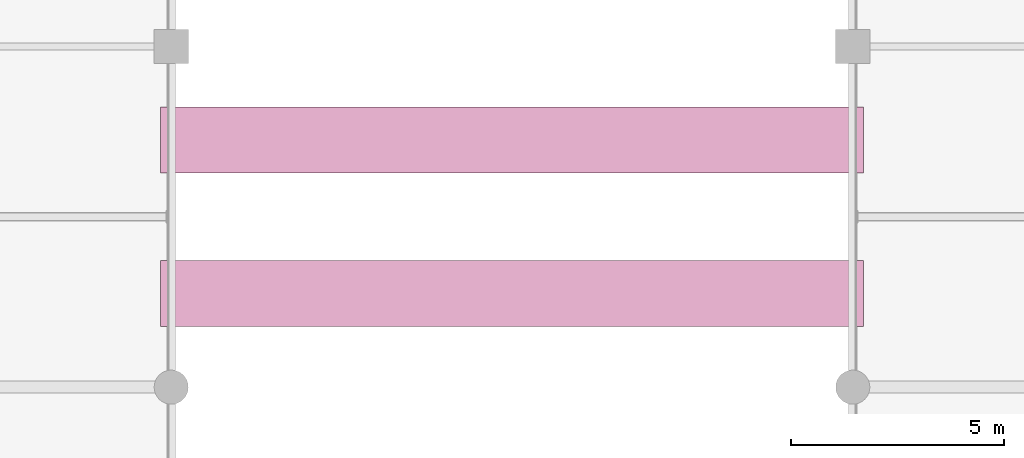
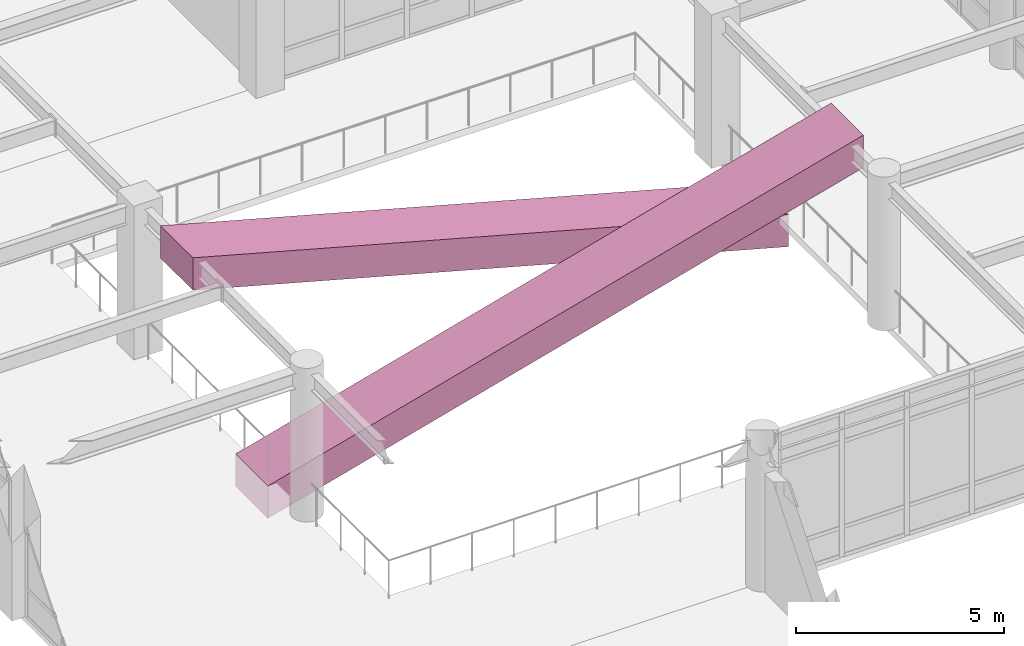
# One storey, part 93 of 93: 2 transport elements.
"""IFC4 building model written with IfcOpenShell, lengths in metres."""

import ifcopenshell
import ifcopenshell.guid

model = None  # the IFC model being written
_history = None  # IfcOwnerHistory: only IFC2X3 demands one
_inside = {}  # id of a spatial element -> (the spatial element, [elements in it])
_under = {}  # id of a project, library or spatial element -> (it, [spatial elements below it])
_declared = {}  # id of a project -> (the project, [libraries it declares])
_typed = {}  # id of a type object -> (the type object, [elements of that type])
_made_of = {}  # id of a material, layer set ... -> (it, [elements and type objects made of it])


def new_model(schema):
    """Start an empty IFC model of exactly this schema.

    Asked for "IFC4X3", IfcOpenShell would pick the latest addendum, in which some entities
    have other attributes; the version numbers below select the first issue.
    IFC2X3 requires an IfcOwnerHistory on every rooted entity: one is made here for all.
    """
    global model, _history
    if schema == "IFC4X3":
        model = ifcopenshell.file(schema_version=(4, 3, 0, 0))
    else:
        model = ifcopenshell.file(schema=schema)
    _inside.clear()
    _under.clear()
    _declared.clear()
    _typed.clear()
    _made_of.clear()
    _history = None
    if model.schema == "IFC2X3":
        org = make("IfcOrganization", Name="unknown")
        user = make(
            "IfcPersonAndOrganization",
            ThePerson=make("IfcPerson", FamilyName="unknown"),
            TheOrganization=org,
        )
        app = make(
            "IfcApplication",
            ApplicationDeveloper=org,
            Version="unknown",
            ApplicationFullName="unknown",
            ApplicationIdentifier="unknown",
        )
        _history = make(
            "IfcOwnerHistory",
            OwningUser=user,
            OwningApplication=app,
            ChangeAction="ADDED",
            CreationDate=0,
        )
    return model


def make(cls, **values):
    """One entity of the class cls with the attributes given. An attribute that is None is left unset."""
    return model.create_entity(
        cls, **{name: value for name, value in values.items() if value is not None}
    )


def rooted(cls, **values):
    """An entity with a GlobalId (a new one), such as an element, a storey or a relation."""
    return make(cls, GlobalId=ifcopenshell.guid.new(), OwnerHistory=_history, **values)


def si_unit(unit_type, name, prefix=None):
    """IfcSIUnit, for example si_unit("LENGTHUNIT", "METRE", prefix="MILLI")."""
    return make("IfcSIUnit", UnitType=unit_type, Prefix=prefix, Name=name)


def assignment(units):
    """IfcUnitAssignment: the units of a project."""
    return None if units is None else make("IfcUnitAssignment", Units=units)


def point(xyz):
    """IfcCartesianPoint."""
    return None if xyz is None else make("IfcCartesianPoint", Coordinates=xyz)


def direction(xyz):
    """IfcDirection."""
    return None if xyz is None else make("IfcDirection", DirectionRatios=xyz)


def frame(location, z_axis=None, x_axis=None):
    """IfcAxis2Placement3D, a coordinate frame: its origin and axes. An axis left out is left unset."""
    return make(
        "IfcAxis2Placement3D",
        Location=point(location),
        Axis=direction(z_axis),
        RefDirection=direction(x_axis),
    )


def origin():
    """The frame at (0, 0, 0) with its axes left unset."""
    return frame((0.0, 0.0, 0.0))


def place(relative_to, where):
    """IfcLocalPlacement: puts the frame where relative to a parent placement (None: the world)."""
    return make(
        "IfcLocalPlacement", PlacementRelTo=relative_to, RelativePlacement=where
    )


def context(
    kind, dimensions, precision=None, world=None, true_north=None, identifier=None
):
    """IfcGeometricRepresentationContext, for example the 3D "Model" context."""
    return make(
        "IfcGeometricRepresentationContext",
        ContextIdentifier=identifier,
        ContextType=kind,
        CoordinateSpaceDimension=dimensions,
        Precision=precision,
        WorldCoordinateSystem=world,
        TrueNorth=true_north,
    )


def subcontext(parent, identifier, kind, view, scale=None):
    """IfcGeometricRepresentationSubContext, for example "Body" below "Model"."""
    return make(
        "IfcGeometricRepresentationSubContext",
        ContextIdentifier=identifier,
        ContextType=kind,
        ParentContext=parent,
        TargetScale=scale,
        TargetView=view,
    )


def project(units=None, contexts=None):
    """IfcProject with its units and contexts."""
    return rooted(
        "IfcProject",
        Name="project",
        RepresentationContexts=contexts,
        UnitsInContext=assignment(units),
    )


def spatial(cls, under=None, at=None, **own):
    """A site, building, storey or space (cls), placed at a placement, below another one or the project."""
    s = rooted(cls, ObjectPlacement=at, **own)
    if under is not None:
        _under.setdefault(under.id(), (under, []))[1].append(s)
    return s


def polyline(points):
    """IfcPolyline through the points."""
    return make("IfcPolyline", Points=[point(p) for p in points])


def outline(outer, holes=None, kind="AREA"):
    """IfcArbitraryClosedProfileDef: a profile drawn as a closed curve; with holes, ...WithVoids."""
    if holes is None:
        return make("IfcArbitraryClosedProfileDef", ProfileType=kind, OuterCurve=outer)
    return make(
        "IfcArbitraryProfileDefWithVoids",
        ProfileType=kind,
        OuterCurve=outer,
        InnerCurves=holes,
    )


def extrude(swept, where, along, depth):
    """IfcExtrudedAreaSolid: the profile swept, set in the frame where, extruded along a direction by depth."""
    return make(
        "IfcExtrudedAreaSolid",
        SweptArea=swept,
        Position=where,
        ExtrudedDirection=direction(along),
        Depth=depth,
    )


def shape(context_of_items, identifier, shape_type, items):
    """IfcShapeRepresentation: the items that make up one representation, for example the "Body"."""
    return make(
        "IfcShapeRepresentation",
        ContextOfItems=context_of_items,
        RepresentationIdentifier=identifier,
        RepresentationType=shape_type,
        Items=items,
    )


def material(Name=None, Category=None):
    """IfcMaterial."""
    return make("IfcMaterial", Name=Name, Category=Category)


def made_of(thing, what):
    """Note that an element or type object is made of a material, layer set ...; save() writes the relation."""
    if what is not None:
        _made_of.setdefault(what.id(), (what, []))[1].append(thing)
    return thing


def type_object(cls, material=None, **own):
    """A type object (cls), such as IfcWallType, which elements share."""
    return made_of(rooted(cls, **own), material)


def element(
    cls,
    number,
    at=None,
    inside=None,
    cuts=None,
    type_object=None,
    material=None,
    context=None,
    identifier="Body",
    shape_type=None,
    held_by="IfcProductDefinitionShape",
    body=None,
    shapes=None,
    **own,
):
    """One element of the class cls, such as IfcWall. Its Tag is "e" and its number.

    at: its placement. inside: the storey or other place that contains it. cuts: it is an
    opening in that element (IfcRelVoidsElement). A single representation is given by context,
    identifier, shape_type and body (its items); several are given by shapes. held_by: the class
    of the entity that holds the representations. save() writes the other relations.
    """
    e = rooted(cls, Tag="e%d" % number, ObjectPlacement=at, **own)
    if body is not None:
        shapes = [shape(context, identifier, shape_type, body)]
    if shapes is not None:
        e.Representation = make(held_by, Representations=shapes)
    if inside is not None:
        _inside.setdefault(inside.id(), (inside, []))[1].append(e)
    if cuts is not None:
        rooted(
            "IfcRelVoidsElement", RelatingBuildingElement=cuts, RelatedOpeningElement=e
        )
    if type_object is not None:
        _typed.setdefault(type_object.id(), (type_object, []))[1].append(e)
    return made_of(e, material)


def aggregate(whole, parts):
    """IfcRelAggregates: a whole, such as a stair, and the parts it consists of."""
    return rooted("IfcRelAggregates", RelatingObject=whole, RelatedObjects=parts)


def save(model, path):
    """Write the relations noted so far, then the file.

    IfcRelAggregates (storeys below a building ...), IfcRelContainedInSpatialStructure (elements
    in a storey), IfcRelDefinesByType, IfcRelAssociatesMaterial and IfcRelDeclares: one each for
    every whole, place, type object, material and project.
    """
    for whole, parts in _under.values():
        aggregate(whole, parts)
    for where, things in _inside.values():
        rooted(
            "IfcRelContainedInSpatialStructure",
            RelatedElements=things,
            RelatingStructure=where,
        )
    for kind, things in _typed.values():
        rooted("IfcRelDefinesByType", RelatedObjects=things, RelatingType=kind)
    for what, things in _made_of.values():
        rooted("IfcRelAssociatesMaterial", RelatedObjects=things, RelatingMaterial=what)
    for by, libraries in _declared.values():
        rooted("IfcRelDeclares", RelatingContext=by, RelatedDefinitions=libraries)
    model.write(path)


model = new_model("IFC4")

# Units and contexts
model_context = context("Model", 3, precision=1e-05, world=origin(), true_north=direction((0.0, 1.0)))
body_context = subcontext(model_context, "Body", "Model", "MODEL_VIEW")
ifc_project = project(units=[si_unit("LENGTHUNIT", "METRE"), si_unit("AREAUNIT", "SQUARE_METRE"), si_unit("VOLUMEUNIT", "CUBIC_METRE"), si_unit("PLANEANGLEUNIT", "RADIAN"), si_unit("MASSUNIT", "GRAM", prefix="KILO")], contexts=[model_context])

# Site, building, storey
site_placement = place(None, origin())
site = spatial("IfcSite", under=ifc_project, at=site_placement, CompositionType="ELEMENT")
building_placement = place(site_placement, origin())
building = spatial("IfcBuilding", under=site, at=building_placement, Name="Solmirada Galleria", CompositionType="ELEMENT")
storey_placement = place(building_placement, frame((0.0, 0.0, 14.89990234375)))
storey = spatial("IfcBuildingStorey", under=building, at=storey_placement, Name="L03", CompositionType="ELEMENT", Elevation=14.89990234375)

# Transport elements
ifc_material = material(Name="Stainless-steel and stone elevator cab", Category="masonry")
transport_element_type = type_object("IfcTransportElementType", Name="ESC-ATRIUM-1000", PredefinedType="ESCALATOR", material=ifc_material)
for number, where, z_axis, x_axis, name in (
    (1, (87.85009765625, 58.199951171875, 0.0), (0.0, 0.0, 1.0), (1.0, 0.0, 0.0), "Atrium escalator L03 UP"),
    (2, (104.14990234375, 61.800048828125, 0.0), (0.0, 0.0, 1.0), (-1.0, 0.0, 0.0), "Atrium escalator L03 DN"),
):
    element("IfcTransportElement", number, at=place(storey_placement, frame(where, z_axis=z_axis, x_axis=x_axis)), inside=storey, type_object=transport_element_type, Name=name, PredefinedType="ESCALATOR", context=body_context, shape_type="SweptSolid", body=[
        extrude(outline(polyline([(-0.10009765625, 0.0), (16.400146484375, 4.5), (16.400146484375, 3.550048828125), (-0.10009765625, -0.949951171875), (-0.10009765625, 0.0)])), frame((0.0, 0.77490234375, 0.0), z_axis=(0.0, -1.0, 0.0), x_axis=(1.0, 0.0, 0.0)), (0.0, 0.0, 1.0), 1.550048828125),
    ])

save(model, "model.ifc")
